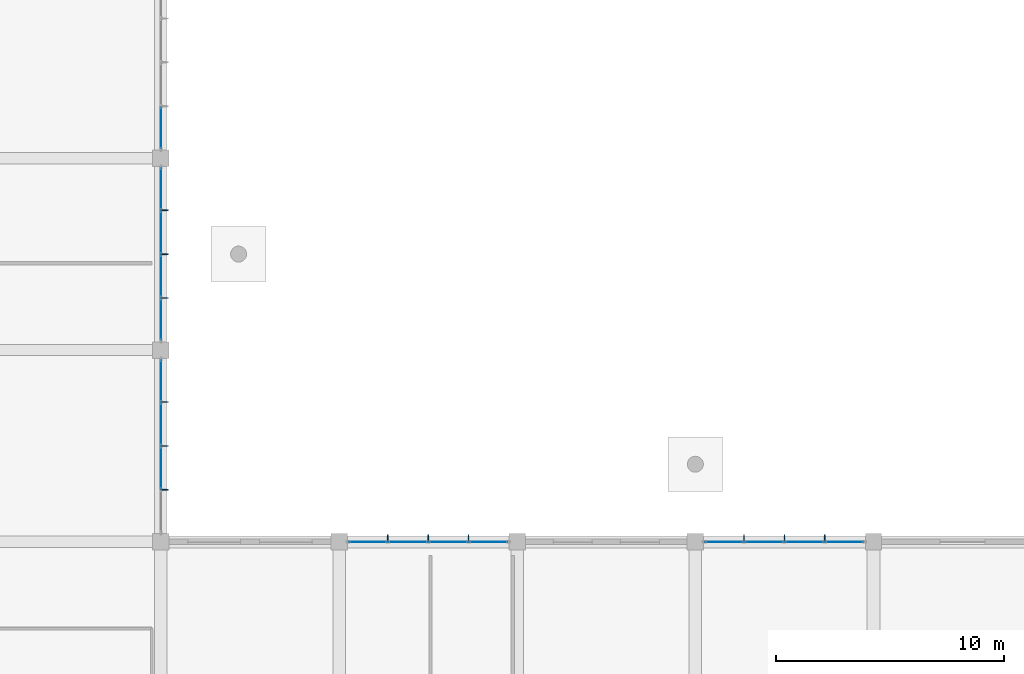
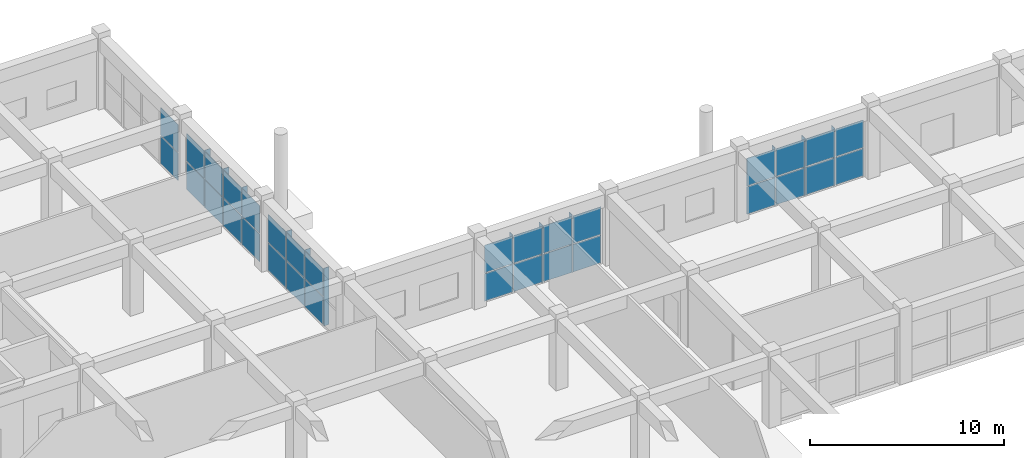
# One storey, part 116 of 139: 44 plates, 5 elements without a shape of their own.
"""IFC4 building model written with IfcOpenShell, lengths in metres."""

from ifc_helpers import new_model, si_unit, direction, frame, origin, origin_2d, place, context, subcontext, project, spatial, polyline, rectangle, outline, extrude, material, layer, layer_set, type_object, element, aggregate, save


model = new_model("IFC4")

# Units and contexts
model_context = context("Model", 3, precision=1e-05, world=origin(), true_north=direction((0.0, 1.0)))
body_context = subcontext(model_context, "Body", "Model", "MODEL_VIEW")
ifc_project = project(units=[si_unit("LENGTHUNIT", "METRE"), si_unit("AREAUNIT", "SQUARE_METRE"), si_unit("VOLUMEUNIT", "CUBIC_METRE"), si_unit("PLANEANGLEUNIT", "RADIAN"), si_unit("MASSUNIT", "GRAM", prefix="KILO")], contexts=[model_context])

# Site, building, storey
site_placement = place(None, origin())
site = spatial("IfcSite", under=ifc_project, at=site_placement, CompositionType="ELEMENT")
building_placement = place(site_placement, origin())
building = spatial("IfcBuilding", under=site, at=building_placement, Name="Zizhar Promenade General Hospital", CompositionType="ELEMENT")
storey_placement = place(building_placement, origin())
storey = spatial("IfcBuildingStorey", under=building, at=storey_placement, Name="L00", CompositionType="ELEMENT", Elevation=0.0)

# Curtain wall, plates
ifc_material_1 = material(Name="Anodised aluminium 6063-T6 and low-E glass", Category="aluminium")
ifc_layer_1 = layer(ifc_material_1, 0.159912109375)
ifc_layer_set_1 = layer_set([ifc_layer_1], Name="Anodised aluminium 6063-T6 and low-E glass")
curtain_wall_type_1 = type_object("IfcCurtainWallType", Name="CW-DT-MOD1", PredefinedType="NOTDEFINED", material=ifc_layer_set_1)
curtain_wall_1_placement = place(storey_placement, origin())
curtain_wall_1 = element("IfcCurtainWall", 1, at=curtain_wall_1_placement, inside=storey, type_object=curtain_wall_type_1, Name="Surgical East Glazed Curtain Wall L00-13", PredefinedType="NOTDEFINED")
ifc_material_2 = material(Name="Low-E solar-control glass", Category="glass")
ifc_layer_2 = layer(ifc_material_2, 0.031982421875)
ifc_layer_set_2 = layer_set([ifc_layer_2], Name="Low-E solar-control glass")
plate_type_1 = type_object("IfcPlateType", Name="CWP-GLZ-32", PredefinedType="CURTAIN_PANEL", material=ifc_layer_set_2)
plate_1_placement = place(storey_placement, frame((132.60009765625, 116.260009765625, 0.06005859375), z_axis=(0.0, 0.0, 1.0), x_axis=(0.0, -1.0, 0.0)))
plate_1 = element("IfcPlate", 2, at=plate_1_placement, type_object=plate_type_1, Name="CW-07 panel 1.1", PredefinedType="CURTAIN_PANEL", context=body_context, shape_type="SweptSolid", body=[
    extrude(rectangle(XDim=1.800048828125, YDim=0.031982421875, at=origin_2d()), origin(), (0.0, 0.0, 1.0), 1.72509765625),
])
plate_2_placement = place(storey_placement, frame((132.60009765625, 116.260009765625, 1.844970703125), z_axis=(0.0, 0.0, 1.0), x_axis=(0.0, -1.0, 0.0)))
plate_2 = element("IfcPlate", 3, at=plate_2_placement, type_object=plate_type_1, Name="CW-07 panel 1.2", PredefinedType="CURTAIN_PANEL", context=body_context, shape_type="SweptSolid", body=[
    extrude(rectangle(XDim=1.800048828125, YDim=0.031982421875, at=origin_2d()), origin(), (0.0, 0.0, 1.0), 1.72509765625),
])
plate_3_placement = place(storey_placement, frame((132.60009765625, 114.360107421875, 0.06005859375), z_axis=(0.0, 0.0, 1.0), x_axis=(0.0, -1.0, 0.0)))
plate_3 = element("IfcPlate", 4, at=plate_3_placement, type_object=plate_type_1, Name="CW-07 panel 2.1", PredefinedType="CURTAIN_PANEL", context=body_context, shape_type="SweptSolid", body=[
    extrude(rectangle(XDim=1.840087890625, YDim=0.031982421875, at=origin_2d()), origin(), (0.0, 0.0, 1.0), 1.72509765625),
])
plate_4_placement = place(storey_placement, frame((132.60009765625, 114.360107421875, 1.844970703125), z_axis=(0.0, 0.0, 1.0), x_axis=(0.0, -1.0, 0.0)))
plate_4 = element("IfcPlate", 5, at=plate_4_placement, type_object=plate_type_1, Name="CW-07 panel 2.2", PredefinedType="CURTAIN_PANEL", context=body_context, shape_type="SweptSolid", body=[
    extrude(rectangle(XDim=1.840087890625, YDim=0.031982421875, at=origin_2d()), origin(), (0.0, 0.0, 1.0), 1.72509765625),
])
plate_5_placement = place(storey_placement, frame((132.60009765625, 112.43994140625, 0.06005859375), z_axis=(0.0, 0.0, 1.0), x_axis=(0.0, -1.0, 0.0)))
plate_5 = element("IfcPlate", 6, at=plate_5_placement, type_object=plate_type_1, Name="CW-07 panel 3.1", PredefinedType="CURTAIN_PANEL", context=body_context, shape_type="SweptSolid", body=[
    extrude(rectangle(XDim=1.840087890625, YDim=0.031982421875, at=origin_2d()), origin(), (0.0, 0.0, 1.0), 1.72509765625),
])
plate_6_placement = place(storey_placement, frame((132.60009765625, 112.43994140625, 1.844970703125), z_axis=(0.0, 0.0, 1.0), x_axis=(0.0, -1.0, 0.0)))
plate_6 = element("IfcPlate", 7, at=plate_6_placement, type_object=plate_type_1, Name="CW-07 panel 3.2", PredefinedType="CURTAIN_PANEL", context=body_context, shape_type="SweptSolid", body=[
    extrude(rectangle(XDim=1.840087890625, YDim=0.031982421875, at=origin_2d()), origin(), (0.0, 0.0, 1.0), 1.72509765625),
])
aggregate(curtain_wall_1, [plate_1, plate_2, plate_3, plate_4, plate_5, plate_6])

curtain_wall_2_placement = place(storey_placement, origin())
curtain_wall_2 = element("IfcCurtainWall", 8, at=curtain_wall_2_placement, inside=storey, type_object=curtain_wall_type_1, Name="Surgical East Glazed Curtain Wall L00-14", PredefinedType="NOTDEFINED")
plate_7_placement = place(storey_placement, frame((132.60009765625, 124.659912109375, 0.06005859375), z_axis=(0.0, 0.0, 1.0), x_axis=(0.0, -1.0, 0.0)))
plate_7 = element("IfcPlate", 9, at=plate_7_placement, type_object=plate_type_1, Name="CW-07 panel 1.1", PredefinedType="CURTAIN_PANEL", context=body_context, shape_type="SweptSolid", body=[
    extrude(rectangle(XDim=1.800048828125, YDim=0.031982421875, at=origin_2d()), origin(), (0.0, 0.0, 1.0), 1.72509765625),
])
plate_8_placement = place(storey_placement, frame((132.60009765625, 124.659912109375, 1.844970703125), z_axis=(0.0, 0.0, 1.0), x_axis=(0.0, -1.0, 0.0)))
plate_8 = element("IfcPlate", 10, at=plate_8_placement, type_object=plate_type_1, Name="CW-07 panel 1.2", PredefinedType="CURTAIN_PANEL", context=body_context, shape_type="SweptSolid", body=[
    extrude(rectangle(XDim=1.800048828125, YDim=0.031982421875, at=origin_2d()), origin(), (0.0, 0.0, 1.0), 1.72509765625),
])
plate_9_placement = place(storey_placement, frame((132.60009765625, 122.760009765625, 0.06005859375), z_axis=(0.0, 0.0, 1.0), x_axis=(0.0, -1.0, 0.0)))
plate_9 = element("IfcPlate", 11, at=plate_9_placement, type_object=plate_type_1, Name="CW-07 panel 2.1", PredefinedType="CURTAIN_PANEL", context=body_context, shape_type="SweptSolid", body=[
    extrude(rectangle(XDim=1.840087890625, YDim=0.031982421875, at=origin_2d()), origin(), (0.0, 0.0, 1.0), 1.72509765625),
])
plate_10_placement = place(storey_placement, frame((132.60009765625, 122.760009765625, 1.844970703125), z_axis=(0.0, 0.0, 1.0), x_axis=(0.0, -1.0, 0.0)))
plate_10 = element("IfcPlate", 12, at=plate_10_placement, type_object=plate_type_1, Name="CW-07 panel 2.2", PredefinedType="CURTAIN_PANEL", context=body_context, shape_type="SweptSolid", body=[
    extrude(rectangle(XDim=1.840087890625, YDim=0.031982421875, at=origin_2d()), origin(), (0.0, 0.0, 1.0), 1.72509765625),
])
plate_11_placement = place(storey_placement, frame((132.60009765625, 120.840087890625, 0.06005859375), z_axis=(0.0, 0.0, 1.0), x_axis=(0.0, -1.0, 0.0)))
plate_11 = element("IfcPlate", 13, at=plate_11_placement, type_object=plate_type_1, Name="CW-07 panel 3.1", PredefinedType="CURTAIN_PANEL", context=body_context, shape_type="SweptSolid", body=[
    extrude(rectangle(XDim=1.840087890625, YDim=0.031982421875, at=origin_2d()), origin(), (0.0, 0.0, 1.0), 1.72509765625),
])
plate_12_placement = place(storey_placement, frame((132.60009765625, 120.840087890625, 1.844970703125), z_axis=(0.0, 0.0, 1.0), x_axis=(0.0, -1.0, 0.0)))
plate_12 = element("IfcPlate", 14, at=plate_12_placement, type_object=plate_type_1, Name="CW-07 panel 3.2", PredefinedType="CURTAIN_PANEL", context=body_context, shape_type="SweptSolid", body=[
    extrude(rectangle(XDim=1.840087890625, YDim=0.031982421875, at=origin_2d()), origin(), (0.0, 0.0, 1.0), 1.72509765625),
])
plate_13_placement = place(storey_placement, frame((132.60009765625, 118.93994140625, 0.06005859375), z_axis=(0.0, 0.0, 1.0), x_axis=(0.0, -1.0, 0.0)))
plate_13 = element("IfcPlate", 15, at=plate_13_placement, type_object=plate_type_1, Name="CW-07 panel 4.1", PredefinedType="CURTAIN_PANEL", context=body_context, shape_type="SweptSolid", body=[
    extrude(rectangle(XDim=1.800048828125, YDim=0.031982421875, at=origin_2d()), origin(), (0.0, 0.0, 1.0), 1.72509765625),
])
plate_14_placement = place(storey_placement, frame((132.60009765625, 118.93994140625, 1.844970703125), z_axis=(0.0, 0.0, 1.0), x_axis=(0.0, -1.0, 0.0)))
plate_14 = element("IfcPlate", 16, at=plate_14_placement, type_object=plate_type_1, Name="CW-07 panel 4.2", PredefinedType="CURTAIN_PANEL", context=body_context, shape_type="SweptSolid", body=[
    extrude(rectangle(XDim=1.800048828125, YDim=0.031982421875, at=origin_2d()), origin(), (0.0, 0.0, 1.0), 1.72509765625),
])
aggregate(curtain_wall_2, [plate_7, plate_8, plate_9, plate_10, plate_11, plate_12, plate_13, plate_14])

curtain_wall_3_placement = place(storey_placement, origin())
curtain_wall_3 = element("IfcCurtainWall", 17, at=curtain_wall_3_placement, inside=storey, type_object=curtain_wall_type_1, Name="Surgical East Glazed Curtain Wall L00-15", PredefinedType="NOTDEFINED")
plate_15_placement = place(storey_placement, frame((132.60009765625, 127.340087890625, 0.06005859375), z_axis=(0.0, 0.0, 1.0), x_axis=(0.0, -1.0, 0.0)))
plate_15 = element("IfcPlate", 18, at=plate_15_placement, type_object=plate_type_1, Name="CW-07 panel 4.1", PredefinedType="CURTAIN_PANEL", context=body_context, shape_type="SweptSolid", body=[
    extrude(rectangle(XDim=1.800048828125, YDim=0.031982421875, at=origin_2d()), origin(), (0.0, 0.0, 1.0), 1.72509765625),
])
plate_16_placement = place(storey_placement, frame((132.60009765625, 127.340087890625, 1.844970703125), z_axis=(0.0, 0.0, 1.0), x_axis=(0.0, -1.0, 0.0)))
plate_16 = element("IfcPlate", 19, at=plate_16_placement, type_object=plate_type_1, Name="CW-07 panel 4.2", PredefinedType="CURTAIN_PANEL", context=body_context, shape_type="SweptSolid", body=[
    extrude(rectangle(XDim=1.800048828125, YDim=0.031982421875, at=origin_2d()), origin(), (0.0, 0.0, 1.0), 1.72509765625),
])
aggregate(curtain_wall_3, [plate_15, plate_16])

ifc_material_3 = material(Name="Anodised aluminium 6063-T6 and low-E glass", Category="aluminium")
ifc_layer_3 = layer(ifc_material_3, 0.159912109375)
ifc_layer_set_3 = layer_set([ifc_layer_3], Name="Anodised aluminium 6063-T6 and low-E glass")
curtain_wall_type_2 = type_object("IfcCurtainWallType", Name="CW-CLN-EXT", PredefinedType="NOTDEFINED", material=ifc_layer_set_3)
curtain_wall_4_placement = place(storey_placement, origin())
curtain_wall_4 = element("IfcCurtainWall", 20, at=curtain_wall_4_placement, inside=storey, type_object=curtain_wall_type_2, Name="Outpatient North Curtain Wall L00-18", PredefinedType="NOTDEFINED")
plate_17_placement = place(storey_placement, frame((141.6650390625, 109.199951171875, 0.06005859375), z_axis=(0.0, 0.0, 1.0), x_axis=(1.0, 0.0, 0.0)))
plate_17 = element("IfcPlate", 21, at=plate_17_placement, type_object=plate_type_1, Name="CW-09 panel 1.1", PredefinedType="CURTAIN_PANEL", context=body_context, shape_type="SweptSolid", body=[
    extrude(rectangle(XDim=1.64990234375, YDim=0.031982421875, at=origin_2d()), origin(), (0.0, 0.0, 1.0), 1.72509765625),
])
plate_18_placement = place(storey_placement, frame((141.6650390625, 109.199951171875, 1.844970703125), z_axis=(0.0, 0.0, 1.0), x_axis=(1.0, 0.0, 0.0)))
plate_18 = element("IfcPlate", 22, at=plate_18_placement, type_object=plate_type_1, Name="CW-09 panel 1.2", PredefinedType="CURTAIN_PANEL", context=body_context, shape_type="SweptSolid", body=[
    extrude(rectangle(XDim=1.64990234375, YDim=0.031982421875, at=origin_2d()), origin(), (0.0, 0.0, 1.0), 1.72509765625),
])
plate_19_placement = place(storey_placement, frame((143.4150390625, 109.199951171875, 0.06005859375), z_axis=(0.0, 0.0, 1.0), x_axis=(1.0, 0.0, 0.0)))
plate_19 = element("IfcPlate", 23, at=plate_19_placement, type_object=plate_type_1, Name="CW-09 panel 2.1", PredefinedType="CURTAIN_PANEL", context=body_context, shape_type="SweptSolid", body=[
    extrude(rectangle(XDim=1.68994140625, YDim=0.031982421875, at=origin_2d()), origin(), (0.0, 0.0, 1.0), 1.72509765625),
])
plate_20_placement = place(storey_placement, frame((143.4150390625, 109.199951171875, 1.844970703125), z_axis=(0.0, 0.0, 1.0), x_axis=(1.0, 0.0, 0.0)))
plate_20 = element("IfcPlate", 24, at=plate_20_placement, type_object=plate_type_1, Name="CW-09 panel 2.2", PredefinedType="CURTAIN_PANEL", context=body_context, shape_type="SweptSolid", body=[
    extrude(rectangle(XDim=1.68994140625, YDim=0.031982421875, at=origin_2d()), origin(), (0.0, 0.0, 1.0), 1.72509765625),
])
plate_21_placement = place(storey_placement, frame((145.18505859375, 109.199951171875, 0.06005859375), z_axis=(0.0, 0.0, 1.0), x_axis=(1.0, 0.0, 0.0)))
plate_21 = element("IfcPlate", 25, at=plate_21_placement, type_object=plate_type_1, Name="CW-09 panel 3.1", PredefinedType="CURTAIN_PANEL", context=body_context, shape_type="SweptSolid", body=[
    extrude(rectangle(XDim=1.68994140625, YDim=0.031982421875, at=origin_2d()), origin(), (0.0, 0.0, 1.0), 1.72509765625),
])
plate_22_placement = place(storey_placement, frame((145.18505859375, 109.199951171875, 1.844970703125), z_axis=(0.0, 0.0, 1.0), x_axis=(1.0, 0.0, 0.0)))
plate_22 = element("IfcPlate", 26, at=plate_22_placement, type_object=plate_type_1, Name="CW-09 panel 3.2", PredefinedType="CURTAIN_PANEL", context=body_context, shape_type="SweptSolid", body=[
    extrude(rectangle(XDim=1.68994140625, YDim=0.031982421875, at=origin_2d()), origin(), (0.0, 0.0, 1.0), 1.72509765625),
])
plate_23_placement = place(storey_placement, frame((146.93505859375, 109.199951171875, 0.06005859375), z_axis=(0.0, 0.0, 1.0), x_axis=(1.0, 0.0, 0.0)))
plate_23 = element("IfcPlate", 27, at=plate_23_placement, type_object=plate_type_1, Name="CW-09 panel 4.1", PredefinedType="CURTAIN_PANEL", context=body_context, shape_type="SweptSolid", body=[
    extrude(rectangle(XDim=1.64990234375, YDim=0.031982421875, at=origin_2d()), origin(), (0.0, 0.0, 1.0), 1.72509765625),
])
plate_24_placement = place(storey_placement, frame((146.93505859375, 109.199951171875, 1.844970703125), z_axis=(0.0, 0.0, 1.0), x_axis=(1.0, 0.0, 0.0)))
plate_24 = element("IfcPlate", 28, at=plate_24_placement, type_object=plate_type_1, Name="CW-09 panel 4.2", PredefinedType="CURTAIN_PANEL", context=body_context, shape_type="SweptSolid", body=[
    extrude(rectangle(XDim=1.64990234375, YDim=0.031982421875, at=origin_2d()), origin(), (0.0, 0.0, 1.0), 1.72509765625),
])
aggregate(curtain_wall_4, [plate_17, plate_18, plate_19, plate_20, plate_21, plate_22, plate_23, plate_24])

curtain_wall_5_placement = place(storey_placement, origin())
curtain_wall_5 = element("IfcCurtainWall", 29, at=curtain_wall_5_placement, inside=storey, type_object=curtain_wall_type_2, Name="Outpatient North Curtain Wall L00-20", PredefinedType="NOTDEFINED")
plate_25_placement = place(storey_placement, frame((157.264892578125, 109.199951171875, 0.06005859375), z_axis=(0.0, 0.0, 1.0), x_axis=(1.0, 0.0, 0.0)))
plate_25 = element("IfcPlate", 30, at=plate_25_placement, type_object=plate_type_1, Name="CW-09 panel 1.1", PredefinedType="CURTAIN_PANEL", context=body_context, shape_type="SweptSolid", body=[
    extrude(rectangle(XDim=1.64990234375, YDim=0.031982421875, at=origin_2d()), origin(), (0.0, 0.0, 1.0), 1.72509765625),
])
plate_26_placement = place(storey_placement, frame((157.264892578125, 109.199951171875, 1.844970703125), z_axis=(0.0, 0.0, 1.0), x_axis=(1.0, 0.0, 0.0)))
plate_26 = element("IfcPlate", 31, at=plate_26_placement, type_object=plate_type_1, Name="CW-09 panel 1.2", PredefinedType="CURTAIN_PANEL", context=body_context, shape_type="SweptSolid", body=[
    extrude(rectangle(XDim=1.64990234375, YDim=0.031982421875, at=origin_2d()), origin(), (0.0, 0.0, 1.0), 1.72509765625),
])
plate_27_placement = place(storey_placement, frame((159.014892578125, 109.199951171875, 0.06005859375), z_axis=(0.0, 0.0, 1.0), x_axis=(1.0, 0.0, 0.0)))
plate_27 = element("IfcPlate", 32, at=plate_27_placement, type_object=plate_type_1, Name="CW-09 panel 2.1", PredefinedType="CURTAIN_PANEL", context=body_context, shape_type="SweptSolid", body=[
    extrude(rectangle(XDim=1.68994140625, YDim=0.031982421875, at=origin_2d()), origin(), (0.0, 0.0, 1.0), 1.72509765625),
])
plate_28_placement = place(storey_placement, frame((159.014892578125, 109.199951171875, 1.844970703125), z_axis=(0.0, 0.0, 1.0), x_axis=(1.0, 0.0, 0.0)))
plate_28 = element("IfcPlate", 33, at=plate_28_placement, type_object=plate_type_1, Name="CW-09 panel 2.2", PredefinedType="CURTAIN_PANEL", context=body_context, shape_type="SweptSolid", body=[
    extrude(rectangle(XDim=1.68994140625, YDim=0.031982421875, at=origin_2d()), origin(), (0.0, 0.0, 1.0), 1.72509765625),
])
plate_29_placement = place(storey_placement, frame((160.784912109375, 109.199951171875, 0.06005859375), z_axis=(0.0, 0.0, 1.0), x_axis=(1.0, 0.0, 0.0)))
plate_29 = element("IfcPlate", 34, at=plate_29_placement, type_object=plate_type_1, Name="CW-09 panel 3.1", PredefinedType="CURTAIN_PANEL", context=body_context, shape_type="SweptSolid", body=[
    extrude(rectangle(XDim=1.68994140625, YDim=0.031982421875, at=origin_2d()), origin(), (0.0, 0.0, 1.0), 1.72509765625),
])
plate_30_placement = place(storey_placement, frame((160.784912109375, 109.199951171875, 1.844970703125), z_axis=(0.0, 0.0, 1.0), x_axis=(1.0, 0.0, 0.0)))
plate_30 = element("IfcPlate", 35, at=plate_30_placement, type_object=plate_type_1, Name="CW-09 panel 3.2", PredefinedType="CURTAIN_PANEL", context=body_context, shape_type="SweptSolid", body=[
    extrude(rectangle(XDim=1.68994140625, YDim=0.031982421875, at=origin_2d()), origin(), (0.0, 0.0, 1.0), 1.72509765625),
])
plate_31_placement = place(storey_placement, frame((162.534912109375, 109.199951171875, 0.06005859375), z_axis=(0.0, 0.0, 1.0), x_axis=(1.0, 0.0, 0.0)))
plate_31 = element("IfcPlate", 36, at=plate_31_placement, type_object=plate_type_1, Name="CW-09 panel 4.1", PredefinedType="CURTAIN_PANEL", context=body_context, shape_type="SweptSolid", body=[
    extrude(rectangle(XDim=1.64990234375, YDim=0.031982421875, at=origin_2d()), origin(), (0.0, 0.0, 1.0), 1.72509765625),
])
plate_32_placement = place(storey_placement, frame((162.534912109375, 109.199951171875, 1.844970703125), z_axis=(0.0, 0.0, 1.0), x_axis=(1.0, 0.0, 0.0)))
plate_32 = element("IfcPlate", 37, at=plate_32_placement, type_object=plate_type_1, Name="CW-09 panel 4.2", PredefinedType="CURTAIN_PANEL", context=body_context, shape_type="SweptSolid", body=[
    extrude(rectangle(XDim=1.64990234375, YDim=0.031982421875, at=origin_2d()), origin(), (0.0, 0.0, 1.0), 1.72509765625),
])
aggregate(curtain_wall_5, [plate_25, plate_26, plate_27, plate_28, plate_29, plate_30, plate_31, plate_32])

# Plates
ifc_material_4 = material(Name="Anodised aluminium 6063-T6", Category="aluminium")
ifc_layer_4 = layer(ifc_material_4, 0.033935546875)
ifc_layer_set_4 = layer_set([ifc_layer_4], Name="Anodised aluminium 6063-T6")
plate_type_2 = type_object("IfcPlateType", Name="FIN-ALU-320", PredefinedType="USERDEFINED", material=ifc_layer_set_4)
plate_33_placement = place(storey_placement, origin())
element("IfcPlate", 38, at=plate_33_placement, inside=storey, type_object=plate_type_2, Name="Surgical East Glazed Curtain Wall L00-13 Solar Fin 1", ObjectType="SOLAR_SHADE", PredefinedType="USERDEFINED", context=body_context, shape_type="SweptSolid", body=[
    extrude(outline(polyline([(132.60009765625, 115.3369140625), (132.60009765625, 115.302978515625), (132.919921875, 115.302978515625), (132.919921875, 115.3369140625), (132.60009765625, 115.3369140625)])), origin(), (0.0, 0.0, 1.0), 3.6298828125),
])
plate_34_placement = place(storey_placement, origin())
element("IfcPlate", 39, at=plate_34_placement, inside=storey, type_object=plate_type_2, Name="Surgical East Glazed Curtain Wall L00-13 Solar Fin 2", ObjectType="SOLAR_SHADE", PredefinedType="USERDEFINED", context=body_context, shape_type="SweptSolid", body=[
    extrude(outline(polyline([(132.60009765625, 113.4169921875), (132.60009765625, 113.383056640625), (132.919921875, 113.383056640625), (132.919921875, 113.4169921875), (132.60009765625, 113.4169921875)])), origin(), (0.0, 0.0, 1.0), 3.6298828125),
])
plate_35_placement = place(storey_placement, origin())
element("IfcPlate", 40, at=plate_35_placement, inside=storey, type_object=plate_type_2, Name="Surgical East Glazed Curtain Wall L00-13 Solar Fin 3", ObjectType="SOLAR_SHADE", PredefinedType="USERDEFINED", context=body_context, shape_type="SweptSolid", body=[
    extrude(outline(polyline([(132.60009765625, 111.4970703125), (132.60009765625, 111.462890625), (132.919921875, 111.462890625), (132.919921875, 111.4970703125), (132.60009765625, 111.4970703125)])), origin(), (0.0, 0.0, 1.0), 3.6298828125),
])
plate_36_placement = place(storey_placement, origin())
element("IfcPlate", 41, at=plate_36_placement, inside=storey, type_object=plate_type_2, Name="Surgical East Glazed Curtain Wall L00-14 Solar Fin 1", ObjectType="SOLAR_SHADE", PredefinedType="USERDEFINED", context=body_context, shape_type="SweptSolid", body=[
    extrude(outline(polyline([(132.60009765625, 123.737060546875), (132.60009765625, 123.702880859375), (132.919921875, 123.702880859375), (132.919921875, 123.737060546875), (132.60009765625, 123.737060546875)])), origin(), (0.0, 0.0, 1.0), 3.6298828125),
])
plate_37_placement = place(storey_placement, origin())
element("IfcPlate", 42, at=plate_37_placement, inside=storey, type_object=plate_type_2, Name="Surgical East Glazed Curtain Wall L00-14 Solar Fin 2", ObjectType="SOLAR_SHADE", PredefinedType="USERDEFINED", context=body_context, shape_type="SweptSolid", body=[
    extrude(outline(polyline([(132.60009765625, 121.81689453125), (132.60009765625, 121.782958984375), (132.919921875, 121.782958984375), (132.919921875, 121.81689453125), (132.60009765625, 121.81689453125)])), origin(), (0.0, 0.0, 1.0), 3.6298828125),
])
plate_38_placement = place(storey_placement, origin())
element("IfcPlate", 43, at=plate_38_placement, inside=storey, type_object=plate_type_2, Name="Surgical East Glazed Curtain Wall L00-14 Solar Fin 3", ObjectType="SOLAR_SHADE", PredefinedType="USERDEFINED", context=body_context, shape_type="SweptSolid", body=[
    extrude(outline(polyline([(132.60009765625, 119.89697265625), (132.60009765625, 119.863037109375), (132.919921875, 119.863037109375), (132.919921875, 119.89697265625), (132.60009765625, 119.89697265625)])), origin(), (0.0, 0.0, 1.0), 3.6298828125),
])
plate_39_placement = place(storey_placement, origin())
element("IfcPlate", 44, at=plate_39_placement, inside=storey, type_object=plate_type_2, Name="Outpatient North Curtain Wall L00-18 Solar Fin 1", ObjectType="SOLAR_SHADE", PredefinedType="USERDEFINED", context=body_context, shape_type="SweptSolid", body=[
    extrude(outline(polyline([(142.512939453125, 109.199951171875), (142.547119140625, 109.199951171875), (142.547119140625, 109.52001953125), (142.512939453125, 109.52001953125), (142.512939453125, 109.199951171875)])), origin(), (0.0, 0.0, 1.0), 3.6298828125),
])
plate_40_placement = place(storey_placement, origin())
element("IfcPlate", 45, at=plate_40_placement, inside=storey, type_object=plate_type_2, Name="Outpatient North Curtain Wall L00-18 Solar Fin 2", ObjectType="SOLAR_SHADE", PredefinedType="USERDEFINED", context=body_context, shape_type="SweptSolid", body=[
    extrude(outline(polyline([(144.282958984375, 109.199951171875), (144.31689453125, 109.199951171875), (144.31689453125, 109.52001953125), (144.282958984375, 109.52001953125), (144.282958984375, 109.199951171875)])), origin(), (0.0, 0.0, 1.0), 3.6298828125),
])
plate_41_placement = place(storey_placement, origin())
element("IfcPlate", 46, at=plate_41_placement, inside=storey, type_object=plate_type_2, Name="Outpatient North Curtain Wall L00-18 Solar Fin 3", ObjectType="SOLAR_SHADE", PredefinedType="USERDEFINED", context=body_context, shape_type="SweptSolid", body=[
    extrude(outline(polyline([(146.052978515625, 109.199951171875), (146.0869140625, 109.199951171875), (146.0869140625, 109.52001953125), (146.052978515625, 109.52001953125), (146.052978515625, 109.199951171875)])), origin(), (0.0, 0.0, 1.0), 3.6298828125),
])
plate_42_placement = place(storey_placement, origin())
element("IfcPlate", 47, at=plate_42_placement, inside=storey, type_object=plate_type_2, Name="Outpatient North Curtain Wall L00-20 Solar Fin 1", ObjectType="SOLAR_SHADE", PredefinedType="USERDEFINED", context=body_context, shape_type="SweptSolid", body=[
    extrude(outline(polyline([(158.113037109375, 109.199951171875), (158.14697265625, 109.199951171875), (158.14697265625, 109.52001953125), (158.113037109375, 109.52001953125), (158.113037109375, 109.199951171875)])), origin(), (0.0, 0.0, 1.0), 3.6298828125),
])
plate_43_placement = place(storey_placement, origin())
element("IfcPlate", 48, at=plate_43_placement, inside=storey, type_object=plate_type_2, Name="Outpatient North Curtain Wall L00-20 Solar Fin 2", ObjectType="SOLAR_SHADE", PredefinedType="USERDEFINED", context=body_context, shape_type="SweptSolid", body=[
    extrude(outline(polyline([(159.883056640625, 109.199951171875), (159.9169921875, 109.199951171875), (159.9169921875, 109.52001953125), (159.883056640625, 109.52001953125), (159.883056640625, 109.199951171875)])), origin(), (0.0, 0.0, 1.0), 3.6298828125),
])
plate_44_placement = place(storey_placement, origin())
element("IfcPlate", 49, at=plate_44_placement, inside=storey, type_object=plate_type_2, Name="Outpatient North Curtain Wall L00-20 Solar Fin 3", ObjectType="SOLAR_SHADE", PredefinedType="USERDEFINED", context=body_context, shape_type="SweptSolid", body=[
    extrude(outline(polyline([(161.653076171875, 109.199951171875), (161.68701171875, 109.199951171875), (161.68701171875, 109.52001953125), (161.653076171875, 109.52001953125), (161.653076171875, 109.199951171875)])), origin(), (0.0, 0.0, 1.0), 3.6298828125),
])

save(model, "model.ifc")
